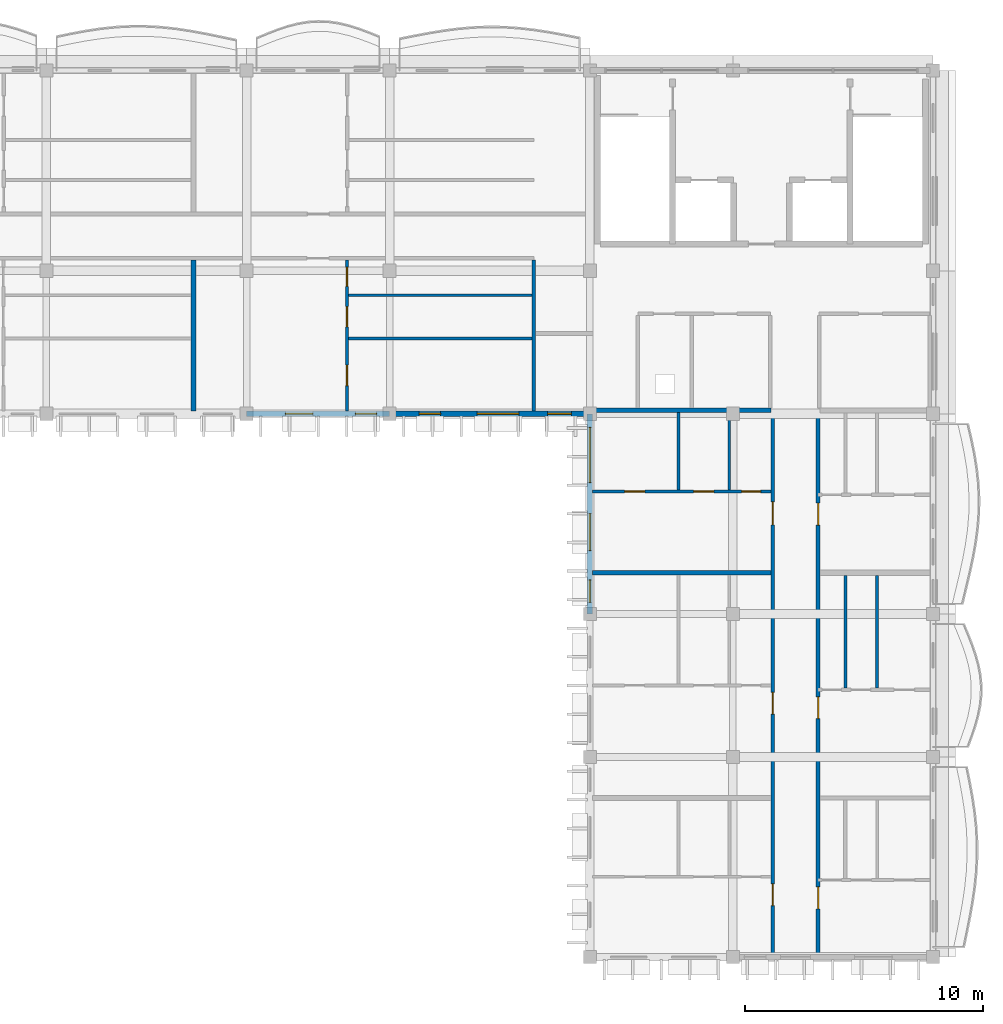
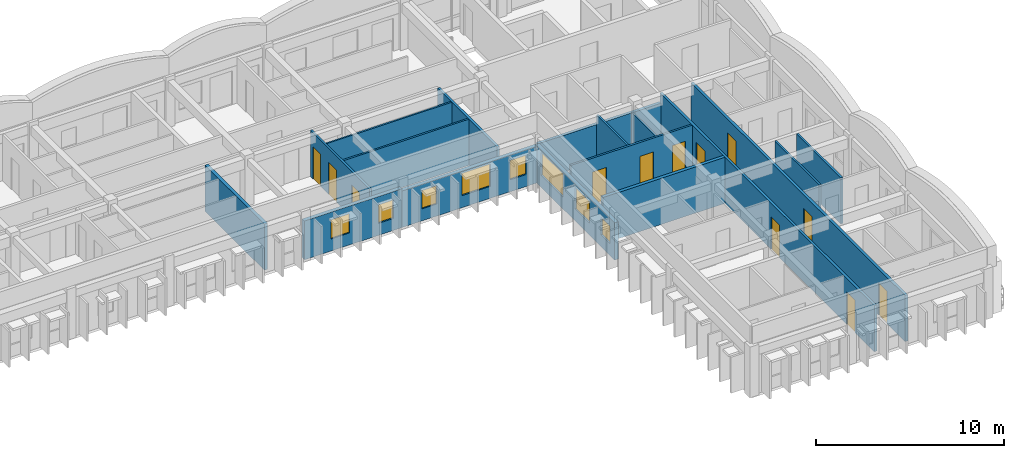
# One storey, part 15 of 28: 17 walls, 12 doors, 8 windows, 20 openings.
"""IFC4 building model written with IfcOpenShell, lengths in metres."""

from ifc_helpers import new_model, si_unit, direction, frame, frame_2d, origin, place, context, subcontext, project, spatial, rectangle, extrude, material, layer, layer_set, type_object, element, fill, save


model = new_model("IFC4")

# Units and contexts
model_context = context("Model", 3, precision=1e-05, world=origin(), true_north=direction((0.0, 1.0)))
body_context = subcontext(model_context, "Body", "Model", "MODEL_VIEW")
ifc_project = project(units=[si_unit("LENGTHUNIT", "METRE"), si_unit("AREAUNIT", "SQUARE_METRE"), si_unit("VOLUMEUNIT", "CUBIC_METRE"), si_unit("PLANEANGLEUNIT", "RADIAN"), si_unit("MASSUNIT", "GRAM", prefix="KILO"), si_unit("THERMODYNAMICTEMPERATUREUNIT", "KELVIN")], contexts=[model_context])

# Site, building, storey
site_placement = place(None, origin())
site = spatial("IfcSite", under=ifc_project, at=site_placement, CompositionType="ELEMENT")
building_placement = place(site_placement, origin())
building = spatial("IfcBuilding", under=site, at=building_placement, Name="Thalorik Housing Commons", CompositionType="ELEMENT")
storey_placement = place(building_placement, frame((0.0, 0.0, 41.10009765625)))
storey = spatial("IfcBuildingStorey", under=building, at=storey_placement, Name="L12", CompositionType="ELEMENT", Elevation=41.10009765625)

# Wall
ifc_material_1 = material(Name="Masonry fire-rated corridor wall", Category="masonry")
ifc_layer_1 = layer(ifc_material_1, 0.14990234375, Name="Masonry fire-rated corridor wall", Category="masonry")
ifc_layer_set_1 = layer_set([ifc_layer_1], Name="Masonry fire-rated corridor wall")
wall_type_1 = type_object("IfcWallType", Name="ARC-WAL-CORR-150", PredefinedType="PARTITIONING", material=ifc_layer_set_1)
wall_1_placement = place(storey_placement, frame((150.050048828125, 109.319580078125, 0.0), z_axis=(0.0, 0.0, 1.0), x_axis=(0.0, 1.0, 0.0)))
element("IfcWall", 1, at=wall_1_placement, inside=storey, type_object=wall_type_1, Name="L12 Block B Vestibule Cheek Wall", PredefinedType="PARTITIONING", context=body_context, shape_type="SweptSolid", body=[
    extrude(rectangle(XDim=6.323486328125, YDim=0.14990234375, at=frame_2d((3.16162109375, 0.0))), origin(), (0.0, 0.0, 1.0), 3.0),
])

# Wall, openings, doors
wall_2_placement = place(storey_placement, frame((160.080078125, 86.51953125, 0.0), z_axis=(0.0, 0.0, 1.0), x_axis=(0.0, 1.0, 0.0)))
wall_2 = element("IfcWall", 2, at=wall_2_placement, inside=storey, type_object=wall_type_1, Name="L12 Block B E Corridor Wall 1", PredefinedType="PARTITIONING", context=body_context, shape_type="SweptSolid", body=[
    extrude(rectangle(XDim=22.820556640625, YDim=0.14990234375, at=frame_2d((11.41015625, 0.0))), origin(), (0.0, 0.0, 1.0), 3.0),
])
opening_1_placement = place(wall_2_placement, frame((2.04052734375, 0.0, 0.0)))
opening_1 = element("IfcOpeningElement", 3, at=opening_1_placement, cuts=wall_2, Name="Opening ID-1568", PredefinedType="OPENING", context=body_context, shape_type="SweptSolid", body=[
    extrude(rectangle(XDim=0.919921875, YDim=2.10009765625, at=frame_2d((0.4599609375, 1.050048828125))), frame((0.0, 0.0849609375, 0.0), z_axis=(0.0, -1.0, 0.0), x_axis=(1.0, 0.0, 0.0)), (0.0, 0.0, 1.0), 0.169921875),
])
opening_2_placement = place(wall_2_placement, frame((10.075439453125, 0.0, 0.0)))
opening_2 = element("IfcOpeningElement", 4, at=opening_2_placement, cuts=wall_2, Name="Opening ID-1569", PredefinedType="OPENING", context=body_context, shape_type="SweptSolid", body=[
    extrude(rectangle(XDim=0.919921875, YDim=2.10009765625, at=frame_2d((0.4599609375, 1.050048828125))), frame((0.0, 0.0849609375, 0.0), z_axis=(0.0, -1.0, 0.0), x_axis=(1.0, 0.0, 0.0)), (0.0, 0.0, 1.0), 0.169921875),
])
opening_3_placement = place(wall_2_placement, frame((18.023193359375, 0.0, 0.0)))
opening_3 = element("IfcOpeningElement", 5, at=opening_3_placement, cuts=wall_2, Name="Opening ID-1570", PredefinedType="OPENING", context=body_context, shape_type="SweptSolid", body=[
    extrude(rectangle(XDim=0.9599609375, YDim=2.1201171875, at=frame_2d((0.47998046875, 1.06005859375))), frame((0.0, 0.0849609375, 0.0), z_axis=(0.0, -1.0, 0.0), x_axis=(1.0, 0.0, 0.0)), (0.0, 0.0, 1.0), 0.169921875),
])
ifc_material_2 = material(Name="Solid core hardwood timber", Category="wood")
door_type_1 = type_object("IfcDoorType", Name="ARC-DR-FD30-920", OperationType="NOTDEFINED", PredefinedType="DOOR", material=ifc_material_2)
door_1_placement = place(opening_1_placement, origin())
door_1 = element("IfcDoor", 6, at=door_1_placement, inside=storey, type_object=door_type_1, Name="L12 Flat BE-1A Entrance Door", OperationType="SINGLE_SWING_LEFT", OverallHeight=2.10009765625, OverallWidth=0.919921875, PredefinedType="DOOR", context=body_context, shape_type="SweptSolid", body=[
    extrude(rectangle(XDim=0.919921875, YDim=2.10009765625, at=frame_2d((0.4599609375, 1.050048828125))), frame((0.0, 0.02490234375, 0.0), z_axis=(0.0, -1.0, 0.0), x_axis=(1.0, 0.0, 0.0)), (0.0, 0.0, 1.0), 0.050048828125),
])
fill(opening_1, door_1)
door_2_placement = place(opening_2_placement, origin())
door_2 = element("IfcDoor", 7, at=door_2_placement, inside=storey, type_object=door_type_1, Name="L12 Flat BE-2A Entrance Door", OperationType="SINGLE_SWING_RIGHT", OverallHeight=2.10009765625, OverallWidth=0.919921875, PredefinedType="DOOR", context=body_context, shape_type="SweptSolid", body=[
    extrude(rectangle(XDim=0.919921875, YDim=2.10009765625, at=frame_2d((0.4599609375, 1.050048828125))), frame((0.0, 0.02490234375, 0.0), z_axis=(0.0, -1.0, 0.0), x_axis=(1.0, 0.0, 0.0)), (0.0, 0.0, 1.0), 0.050048828125),
])
fill(opening_2, door_2)
door_type_2 = type_object("IfcDoorType", Name="ARC-DR-FD30-960", OperationType="NOTDEFINED", PredefinedType="DOOR", material=ifc_material_2)
door_3_placement = place(opening_3_placement, origin())
door_3 = element("IfcDoor", 8, at=door_3_placement, inside=storey, type_object=door_type_2, Name="L12 Flat BE-3A Entrance Door", OperationType="SINGLE_SWING_LEFT", OverallHeight=2.1201171875, OverallWidth=0.9599609375, PredefinedType="DOOR", context=body_context, shape_type="SweptSolid", body=[
    extrude(rectangle(XDim=0.9599609375, YDim=2.1201171875, at=frame_2d((0.47998046875, 1.06005859375))), frame((0.0, 0.02490234375, 0.0), z_axis=(0.0, -1.0, 0.0), x_axis=(1.0, 0.0, 0.0)), (0.0, 0.0, 1.0), 0.050048828125),
])
fill(opening_3, door_3)

ifc_layer_2 = layer(ifc_material_1, 0.1650390625, Name="Masonry fire-rated corridor wall", Category="masonry")
ifc_layer_set_2 = layer_set([ifc_layer_2], Name="Masonry fire-rated corridor wall")
wall_type_2 = type_object("IfcWallType", Name="ARC-WAL-CORR-165", PredefinedType="PARTITIONING", material=ifc_layer_set_2)
wall_3_placement = place(storey_placement, frame((161.97998046875, 86.51953125, 0.0), z_axis=(0.0, 0.0, 1.0), x_axis=(0.0, 1.0, 0.0)))
wall_3 = element("IfcWall", 9, at=wall_3_placement, inside=storey, type_object=wall_type_2, Name="L12 Block B E Corridor Wall 2", PredefinedType="PARTITIONING", context=body_context, shape_type="SweptSolid", body=[
    extrude(rectangle(XDim=22.820556640625, YDim=0.1650390625, at=frame_2d((11.41015625, 0.0))), origin(), (0.0, 0.0, 1.0), 3.0),
])
opening_4_placement = place(wall_3_placement, frame((1.908203125, 0.0, 0.0)))
opening_4 = element("IfcOpeningElement", 10, at=opening_4_placement, cuts=wall_3, Name="Opening ID-1571", PredefinedType="OPENING", context=body_context, shape_type="SweptSolid", body=[
    extrude(rectangle(XDim=0.919921875, YDim=2.10009765625, at=frame_2d((0.4599609375, 1.050048828125))), frame((0.0, 0.092529296875, 0.0), z_axis=(0.0, -1.0, 0.0), x_axis=(1.0, 0.0, 0.0)), (0.0, 0.0, 1.0), 0.18505859375),
])
opening_5_placement = place(wall_3_placement, frame((9.886474609375, 0.0, 0.0)))
opening_5 = element("IfcOpeningElement", 11, at=opening_5_placement, cuts=wall_3, Name="Opening ID-1572", PredefinedType="OPENING", context=body_context, shape_type="SweptSolid", body=[
    extrude(rectangle(XDim=0.919921875, YDim=2.10009765625, at=frame_2d((0.4599609375, 1.050048828125))), frame((0.0, 0.092529296875, 0.0), z_axis=(0.0, -1.0, 0.0), x_axis=(1.0, 0.0, 0.0)), (0.0, 0.0, 1.0), 0.18505859375),
])
opening_6_placement = place(wall_3_placement, frame((18.0126953125, 0.0, 0.0)))
opening_6 = element("IfcOpeningElement", 12, at=opening_6_placement, cuts=wall_3, Name="Opening ID-1573", PredefinedType="OPENING", context=body_context, shape_type="SweptSolid", body=[
    extrude(rectangle(XDim=0.919921875, YDim=2.10009765625, at=frame_2d((0.4599609375, 1.050048828125))), frame((0.0, 0.092529296875, 0.0), z_axis=(0.0, -1.0, 0.0), x_axis=(1.0, 0.0, 0.0)), (0.0, 0.0, 1.0), 0.18505859375),
])
door_4_placement = place(opening_4_placement, origin())
door_4 = element("IfcDoor", 13, at=door_4_placement, inside=storey, type_object=door_type_1, Name="L12 Flat BE-1B Entrance Door", OperationType="SINGLE_SWING_RIGHT", OverallHeight=2.10009765625, OverallWidth=0.919921875, PredefinedType="DOOR", context=body_context, shape_type="SweptSolid", body=[
    extrude(rectangle(XDim=0.919921875, YDim=2.10009765625, at=frame_2d((0.4599609375, 1.050048828125))), frame((0.0, 0.02490234375, 0.0), z_axis=(0.0, -1.0, 0.0), x_axis=(1.0, 0.0, 0.0)), (0.0, 0.0, 1.0), 0.050048828125),
])
fill(opening_4, door_4)
door_5_placement = place(opening_5_placement, origin())
door_5 = element("IfcDoor", 14, at=door_5_placement, inside=storey, type_object=door_type_1, Name="L12 Flat BE-2B Entrance Door", OperationType="SINGLE_SWING_LEFT", OverallHeight=2.10009765625, OverallWidth=0.919921875, PredefinedType="DOOR", context=body_context, shape_type="SweptSolid", body=[
    extrude(rectangle(XDim=0.919921875, YDim=2.10009765625, at=frame_2d((0.4599609375, 1.050048828125))), frame((0.0, 0.02490234375, 0.0), z_axis=(0.0, -1.0, 0.0), x_axis=(1.0, 0.0, 0.0)), (0.0, 0.0, 1.0), 0.050048828125),
])
fill(opening_5, door_5)
door_6_placement = place(opening_6_placement, origin())
door_6 = element("IfcDoor", 15, at=door_6_placement, inside=storey, type_object=door_type_1, Name="L12 Flat BE-3B Entrance Door", OperationType="SINGLE_SWING_RIGHT", OverallHeight=2.10009765625, OverallWidth=0.919921875, PredefinedType="DOOR", context=body_context, shape_type="SweptSolid", body=[
    extrude(rectangle(XDim=0.919921875, YDim=2.10009765625, at=frame_2d((0.4599609375, 1.050048828125))), frame((0.0, 0.02490234375, 0.0), z_axis=(0.0, -1.0, 0.0), x_axis=(1.0, 0.0, 0.0)), (0.0, 0.0, 1.0), 0.050048828125),
])
fill(opening_6, door_6)

# Wall, openings, windows
ifc_material_3 = material(Name="White precast concrete C40/50", Category="concrete")
ifc_layer_3 = layer(ifc_material_3, 0.235107421875, Name="White precast concrete C40/50", Category="concrete")
ifc_layer_set_3 = layer_set([ifc_layer_3], Name="White precast concrete C40/50")
wall_type_3 = type_object("IfcWallType", Name="ARC-WAL-EXT-235", PredefinedType="STANDARD", material=ifc_layer_set_3)
wall_4_placement = place(storey_placement, frame((138.0, 109.199951171875, 0.0), z_axis=(0.0, 0.0, 1.0), x_axis=(1.0, 0.0, 0.0)))
wall_4 = element("IfcWall", 16, at=wall_4_placement, inside=storey, type_object=wall_type_3, Name="L12 Exterior Wall WAL-EXT-L12-B-0811", PredefinedType="STANDARD", context=body_context, shape_type="SweptSolid", body=[
    extrude(rectangle(XDim=6.0, YDim=0.235107421875, at=frame_2d((3.0, 0.0))), origin(), (0.0, 0.0, 1.0), 2.52490234375),
])
opening_7_placement = place(wall_4_placement, frame((1.625, 0.0, 0.780029296875)))
opening_7 = element("IfcOpeningElement", 17, at=opening_7_placement, cuts=wall_4, Name="Opening W-45", PredefinedType="OPENING", context=body_context, shape_type="SweptSolid", body=[
    extrude(rectangle(XDim=1.14990234375, YDim=1.25, at=frame_2d((0.574951171875, 0.625))), frame((0.0, 0.12744140625, 0.0), z_axis=(0.0, -1.0, 0.0), x_axis=(1.0, 0.0, 0.0)), (0.0, 0.0, 1.0), 0.255126953125),
])
opening_8_placement = place(wall_4_placement, frame((4.56005859375, 0.0, 0.780029296875)))
opening_8 = element("IfcOpeningElement", 18, at=opening_8_placement, cuts=wall_4, Name="Opening W-01", PredefinedType="OPENING", context=body_context, shape_type="SweptSolid", body=[
    extrude(rectangle(XDim=0.89990234375, YDim=1.199951171875, at=frame_2d((0.449951171875, 0.60009765625))), frame((0.0, 0.12744140625, 0.0), z_axis=(0.0, -1.0, 0.0), x_axis=(1.0, 0.0, 0.0)), (0.0, 0.0, 1.0), 0.255126953125),
])
ifc_material_4 = material(Name="Anodised aluminium and solar-control low-E glass", Category="aluminium")
window_type_1 = type_object("IfcWindowType", Name="ARC-WIN-01", PartitioningType="SINGLE_PANEL", PredefinedType="WINDOW", material=ifc_material_4)
window_1_placement = place(opening_8_placement, origin())
window_1 = element("IfcWindow", 19, at=window_1_placement, inside=storey, type_object=window_type_1, Name="L12 Facade Window 1497", OverallHeight=1.199951171875, OverallWidth=0.89990234375, PartitioningType="SINGLE_PANEL", PredefinedType="WINDOW", context=body_context, shape_type="SweptSolid", body=[
    extrude(rectangle(XDim=0.89990234375, YDim=1.199951171875, at=frame_2d((0.449951171875, 0.60009765625))), frame((0.0, 0.030029296875, 0.0), z_axis=(0.0, -1.0, 0.0), x_axis=(1.0, 0.0, 0.0)), (0.0, 0.0, 1.0), 0.06005859375),
])
fill(opening_8, window_1)
window_type_2 = type_object("IfcWindowType", Name="ARC-WIN-45", PartitioningType="SINGLE_PANEL", PredefinedType="WINDOW", material=ifc_material_4)
window_2_placement = place(opening_7_placement, origin())
window_2 = element("IfcWindow", 20, at=window_2_placement, inside=storey, type_object=window_type_2, Name="L12 Facade Window 1496", OverallHeight=1.25, OverallWidth=1.14990234375, PartitioningType="SINGLE_PANEL", PredefinedType="WINDOW", context=body_context, shape_type="SweptSolid", body=[
    extrude(rectangle(XDim=1.14990234375, YDim=1.25, at=frame_2d((0.574951171875, 0.625))), frame((0.0, 0.030029296875, 0.0), z_axis=(0.0, -1.0, 0.0), x_axis=(1.0, 0.0, 0.0)), (0.0, 0.0, 1.0), 0.06005859375),
])
fill(opening_7, window_2)

wall_5_placement = place(storey_placement, frame((144.0, 109.199951171875, 0.0), z_axis=(0.0, 0.0, 1.0), x_axis=(1.0, 0.0, 0.0)))
wall_5 = element("IfcWall", 21, at=wall_5_placement, inside=storey, type_object=wall_type_3, Name="L12 Exterior Wall WAL-EXT-L12-B-0812", PredefinedType="STANDARD", context=body_context, shape_type="SweptSolid", body=[
    extrude(rectangle(XDim=8.39990234375, YDim=0.235107421875, at=frame_2d((4.199951171875, 0.0))), origin(), (0.0, 0.0, 1.0), 2.375),
])
opening_9_placement = place(wall_5_placement, frame((1.239990234375, 0.0, 0.780029296875)))
opening_9 = element("IfcOpeningElement", 22, at=opening_9_placement, cuts=wall_5, Name="Opening W-01", PredefinedType="OPENING", context=body_context, shape_type="SweptSolid", body=[
    extrude(rectangle(XDim=0.89990234375, YDim=1.199951171875, at=frame_2d((0.449951171875, 0.60009765625))), frame((0.0, 0.12744140625, 0.0), z_axis=(0.0, -1.0, 0.0), x_axis=(1.0, 0.0, 0.0)), (0.0, 0.0, 1.0), 0.255126953125),
])
opening_10_placement = place(wall_5_placement, frame((3.675048828125, 0.0, 0.780029296875)))
opening_10 = element("IfcOpeningElement", 23, at=opening_10_placement, cuts=wall_5, Name="Opening W-17", PredefinedType="OPENING", context=body_context, shape_type="SweptSolid", body=[
    extrude(rectangle(XDim=1.75, YDim=1.449951171875, at=frame_2d((0.875, 0.72509765625))), frame((0.0, 0.12744140625, 0.0), z_axis=(0.0, -1.0, 0.0), x_axis=(1.0, 0.0, 0.0)), (0.0, 0.0, 1.0), 0.255126953125),
])
opening_11_placement = place(wall_5_placement, frame((6.6298828125, 0.0, 0.780029296875)))
opening_11 = element("IfcOpeningElement", 24, at=opening_11_placement, cuts=wall_5, Name="Opening W-02", PredefinedType="OPENING", context=body_context, shape_type="SweptSolid", body=[
    extrude(rectangle(XDim=1.0, YDim=1.25, at=frame_2d((0.5, 0.625))), frame((0.0, 0.12744140625, 0.0), z_axis=(0.0, -1.0, 0.0), x_axis=(1.0, 0.0, 0.0)), (0.0, 0.0, 1.0), 0.255126953125),
])
window_3_placement = place(opening_9_placement, origin())
window_3 = element("IfcWindow", 25, at=window_3_placement, inside=storey, type_object=window_type_1, Name="L12 Facade Window 1498", OverallHeight=1.199951171875, OverallWidth=0.89990234375, PartitioningType="SINGLE_PANEL", PredefinedType="WINDOW", context=body_context, shape_type="SweptSolid", body=[
    extrude(rectangle(XDim=0.89990234375, YDim=1.199951171875, at=frame_2d((0.449951171875, 0.60009765625))), frame((0.0, 0.030029296875, 0.0), z_axis=(0.0, -1.0, 0.0), x_axis=(1.0, 0.0, 0.0)), (0.0, 0.0, 1.0), 0.06005859375),
])
fill(opening_9, window_3)
window_type_3 = type_object("IfcWindowType", Name="ARC-WIN-02", PartitioningType="SINGLE_PANEL", PredefinedType="WINDOW", material=ifc_material_4)
window_4_placement = place(opening_11_placement, origin())
window_4 = element("IfcWindow", 26, at=window_4_placement, inside=storey, type_object=window_type_3, Name="L12 Facade Window 1500", OverallHeight=1.25, OverallWidth=1.0, PartitioningType="SINGLE_PANEL", PredefinedType="WINDOW", context=body_context, shape_type="SweptSolid", body=[
    extrude(rectangle(XDim=1.0, YDim=1.25, at=frame_2d((0.5, 0.625))), frame((0.0, 0.030029296875, 0.0), z_axis=(0.0, -1.0, 0.0), x_axis=(1.0, 0.0, 0.0)), (0.0, 0.0, 1.0), 0.06005859375),
])
fill(opening_11, window_4)
window_type_4 = type_object("IfcWindowType", Name="ARC-WIN-17", PartitioningType="DOUBLE_PANEL_VERTICAL", PredefinedType="WINDOW", material=ifc_material_4)
window_5_placement = place(opening_10_placement, origin())
window_5 = element("IfcWindow", 27, at=window_5_placement, inside=storey, type_object=window_type_4, Name="L12 Facade Window 1499", OverallHeight=1.449951171875, OverallWidth=1.75, PartitioningType="DOUBLE_PANEL_VERTICAL", PredefinedType="WINDOW", context=body_context, shape_type="SweptSolid", body=[
    extrude(rectangle(XDim=1.75, YDim=1.449951171875, at=frame_2d((0.875, 0.72509765625))), frame((0.0, 0.030029296875, 0.0), z_axis=(0.0, -1.0, 0.0), x_axis=(1.0, 0.0, 0.0)), (0.0, 0.0, 1.0), 0.06005859375),
])
fill(opening_10, window_5)

wall_6_placement = place(storey_placement, frame((152.39990234375, 109.199951171875, 0.0), z_axis=(0.0, 0.0, 1.0), x_axis=(0.0, -1.0, 0.0)))
wall_6 = element("IfcWall", 28, at=wall_6_placement, inside=storey, type_object=wall_type_3, Name="L12 Exterior Wall WAL-EXT-L12-B-0813", PredefinedType="STANDARD", context=body_context, shape_type="SweptSolid", body=[
    extrude(rectangle(XDim=8.39990234375, YDim=0.235107421875, at=frame_2d((4.199951171875, 0.0))), origin(), (0.0, 0.0, 1.0), 2.4248046875),
])
opening_12_placement = place(wall_6_placement, frame((0.5673828125, 0.0, 0.780029296875)))
opening_12 = element("IfcOpeningElement", 29, at=opening_12_placement, cuts=wall_6, Name="Opening W-68", PredefinedType="OPENING", context=body_context, shape_type="SweptSolid", body=[
    extrude(rectangle(XDim=2.320068359375, YDim=1.5, at=frame_2d((1.16015625, 0.75))), frame((0.0, 0.12744140625, 0.0), z_axis=(0.0, -1.0, 0.0), x_axis=(1.0, 0.0, 0.0)), (0.0, 0.0, 1.0), 0.255126953125),
])
opening_13_placement = place(wall_6_placement, frame((4.1923828125, 0.0, 0.780029296875)))
opening_13 = element("IfcOpeningElement", 30, at=opening_13_placement, cuts=wall_6, Name="Opening W-12", PredefinedType="OPENING", context=body_context, shape_type="SweptSolid", body=[
    extrude(rectangle(XDim=1.550048828125, YDim=1.39990234375, at=frame_2d((0.77490234375, 0.699951171875))), frame((0.0, 0.12744140625, 0.0), z_axis=(0.0, -1.0, 0.0), x_axis=(1.0, 0.0, 0.0)), (0.0, 0.0, 1.0), 0.255126953125),
])
opening_14_placement = place(wall_6_placement, frame((6.965087890625, 0.0, 0.780029296875)))
opening_14 = element("IfcOpeningElement", 31, at=opening_14_placement, cuts=wall_6, Name="Opening W-43", PredefinedType="OPENING", context=body_context, shape_type="SweptSolid", body=[
    extrude(rectangle(XDim=0.949951171875, YDim=1.14990234375, at=frame_2d((0.47509765625, 0.574951171875))), frame((0.0, 0.12744140625, 0.0), z_axis=(0.0, -1.0, 0.0), x_axis=(1.0, 0.0, 0.0)), (0.0, 0.0, 1.0), 0.255126953125),
])
window_type_5 = type_object("IfcWindowType", Name="ARC-WIN-12", PartitioningType="SINGLE_PANEL", PredefinedType="WINDOW", material=ifc_material_4)
window_6_placement = place(opening_13_placement, origin())
window_6 = element("IfcWindow", 32, at=window_6_placement, inside=storey, type_object=window_type_5, Name="L12 Facade Window 1502", OverallHeight=1.39990234375, OverallWidth=1.550048828125, PartitioningType="SINGLE_PANEL", PredefinedType="WINDOW", context=body_context, shape_type="SweptSolid", body=[
    extrude(rectangle(XDim=1.550048828125, YDim=1.39990234375, at=frame_2d((0.77490234375, 0.699951171875))), frame((0.0, 0.030029296875, 0.0), z_axis=(0.0, -1.0, 0.0), x_axis=(1.0, 0.0, 0.0)), (0.0, 0.0, 1.0), 0.06005859375),
])
fill(opening_13, window_6)
window_type_6 = type_object("IfcWindowType", Name="ARC-WIN-43", PartitioningType="SINGLE_PANEL", PredefinedType="WINDOW", material=ifc_material_4)
window_7_placement = place(opening_14_placement, origin())
window_7 = element("IfcWindow", 33, at=window_7_placement, inside=storey, type_object=window_type_6, Name="L12 Facade Window 1503", OverallHeight=1.14990234375, OverallWidth=0.949951171875, PartitioningType="SINGLE_PANEL", PredefinedType="WINDOW", context=body_context, shape_type="SweptSolid", body=[
    extrude(rectangle(XDim=0.949951171875, YDim=1.14990234375, at=frame_2d((0.47509765625, 0.574951171875))), frame((0.0, 0.030029296875, 0.0), z_axis=(0.0, -1.0, 0.0), x_axis=(1.0, 0.0, 0.0)), (0.0, 0.0, 1.0), 0.06005859375),
])
fill(opening_14, window_7)
window_type_7 = type_object("IfcWindowType", Name="ARC-WIN-68", PartitioningType="DOUBLE_PANEL_VERTICAL", PredefinedType="WINDOW", material=ifc_material_4)
window_8_placement = place(opening_12_placement, origin())
window_8 = element("IfcWindow", 34, at=window_8_placement, inside=storey, type_object=window_type_7, Name="L12 Facade Window 1501", OverallHeight=1.5, OverallWidth=2.320068359375, PartitioningType="DOUBLE_PANEL_VERTICAL", PredefinedType="WINDOW", context=body_context, shape_type="SweptSolid", body=[
    extrude(rectangle(XDim=2.320068359375, YDim=1.5, at=frame_2d((1.16015625, 0.75))), frame((0.0, 0.030029296875, 0.0), z_axis=(0.0, -1.0, 0.0), x_axis=(1.0, 0.0, 0.0)), (0.0, 0.0, 1.0), 0.06005859375),
])
fill(opening_12, window_8)

# Walls
ifc_material_5 = material(Name="Gypsum light stud partition", Category="masonry")
ifc_layer_4 = layer(ifc_material_5, 0.10009765625, Name="Gypsum light stud partition", Category="masonry")
ifc_layer_set_4 = layer_set([ifc_layer_4], Name="Gypsum light stud partition")
wall_type_4 = type_object("IfcWallType", Name="ARC-WAL-PART-100", PredefinedType="PARTITIONING", material=ifc_layer_set_4)
wall_7_placement = place(storey_placement, frame((142.2744140625, 114.169677734375, 0.0), z_axis=(0.0, 0.0, 1.0), x_axis=(1.0, 0.0, 0.0)))
element("IfcWall", 35, at=wall_7_placement, inside=storey, type_object=wall_type_4, Name="L12 Unit 3 Wet Wall", PredefinedType="PARTITIONING", context=body_context, shape_type="SweptSolid", body=[
    extrude(rectangle(XDim=7.698486328125, YDim=0.10009765625, at=frame_2d((3.84912109375, 0.0))), origin(), (0.0, 0.0, 1.0), 3.0),
])
wall_8_placement = place(storey_placement, frame((158.251220703125, 105.99951171875, 0.0), z_axis=(0.0, 0.0, 1.0), x_axis=(0.0, 1.0, 0.0)))
element("IfcWall", 36, at=wall_8_placement, inside=storey, type_object=wall_type_4, Name="L12 Unit 3 Wet Wall", PredefinedType="PARTITIONING", context=body_context, shape_type="SweptSolid", body=[
    extrude(rectangle(XDim=3.24609375, YDim=0.10009765625, at=frame_2d((1.623046875, 0.0))), origin(), (0.0, 0.0, 1.0), 2.4248046875),
])
ifc_material_6 = material(Name="Gypsum moisture-resistant partition", Category="masonry")
ifc_layer_5 = layer(ifc_material_6, 0.114990234375, Name="Gypsum moisture-resistant partition", Category="masonry")
ifc_layer_set_5 = layer_set([ifc_layer_5], Name="Gypsum moisture-resistant partition")
wall_type_5 = type_object("IfcWallType", Name="ARC-WAL-PART-115", PredefinedType="PARTITIONING", material=ifc_layer_set_5)
wall_9_placement = place(storey_placement, frame((142.2744140625, 112.36083984375, 0.0), z_axis=(0.0, 0.0, 1.0), x_axis=(1.0, 0.0, 0.0)))
element("IfcWall", 37, at=wall_9_placement, inside=storey, type_object=wall_type_5, Name="L12 Unit 3 Bedroom Partition", PredefinedType="PARTITIONING", context=body_context, shape_type="SweptSolid", body=[
    extrude(rectangle(XDim=7.698486328125, YDim=0.114990234375, at=frame_2d((3.84912109375, 0.0))), origin(), (0.0, 0.0, 1.0), 3.0),
])
wall_10_placement = place(storey_placement, frame((163.122314453125, 97.68798828125, 0.0), z_axis=(0.0, 0.0, 1.0), x_axis=(0.0, 1.0, 0.0)))
element("IfcWall", 38, at=wall_10_placement, inside=storey, type_object=wall_type_5, Name="L12 Unit 2B Wet Wall", PredefinedType="PARTITIONING", context=body_context, shape_type="SweptSolid", body=[
    extrude(rectangle(XDim=4.72998046875, YDim=0.114990234375, at=frame_2d((2.364990234375, 0.0))), origin(), (0.0, 0.0, 1.0), 3.0),
])
wall_11_placement = place(storey_placement, frame((156.11767578125, 105.99951171875, 0.0), z_axis=(0.0, 0.0, 1.0), x_axis=(0.0, 1.0, 0.0)))
element("IfcWall", 39, at=wall_11_placement, inside=storey, type_object=wall_type_5, Name="L12 Unit 3 Bedroom Partition", PredefinedType="PARTITIONING", context=body_context, shape_type="SweptSolid", body=[
    extrude(rectangle(XDim=3.24609375, YDim=0.114990234375, at=frame_2d((1.623046875, 0.0))), origin(), (0.0, 0.0, 1.0), 3.0),
])

# Wall, openings, doors
ifc_material_7 = material(Name="Gypsum acoustic stud partition", Category="masonry")
ifc_layer_6 = layer(ifc_material_7, 0.125, Name="Gypsum acoustic stud partition", Category="masonry")
ifc_layer_set_6 = layer_set([ifc_layer_6], Name="Gypsum acoustic stud partition")
wall_type_6 = type_object("IfcWallType", Name="ARC-WAL-PART-125", PredefinedType="PARTITIONING", material=ifc_layer_set_6)
wall_12_placement = place(storey_placement, frame((142.2099609375, 109.319580078125, 0.0), z_axis=(0.0, 0.0, 1.0), x_axis=(0.0, 1.0, 0.0)))
wall_12 = element("IfcWall", 40, at=wall_12_placement, inside=storey, type_object=wall_type_6, Name="L12 Unit 3 Spine Partition", PredefinedType="PARTITIONING", context=body_context, shape_type="SweptSolid", body=[
    extrude(rectangle(XDim=6.323486328125, YDim=0.125, at=frame_2d((3.16162109375, 0.0))), origin(), (0.0, 0.0, 1.0), 3.0),
])
opening_15_placement = place(wall_12_placement, frame((1.06591796875, 0.0, 0.0)))
opening_15 = element("IfcOpeningElement", 41, at=opening_15_placement, cuts=wall_12, Name="Opening ID-1538", PredefinedType="OPENING", context=body_context, shape_type="SweptSolid", body=[
    extrude(rectangle(XDim=0.85009765625, YDim=2.10009765625, at=frame_2d((0.425048828125, 1.050048828125))), frame((0.0, 0.072509765625, 0.0), z_axis=(0.0, -1.0, 0.0), x_axis=(1.0, 0.0, 0.0)), (0.0, 0.0, 1.0), 0.14501953125),
])
opening_16_placement = place(wall_12_placement, frame((3.520751953125, 0.0, 0.0)))
opening_16 = element("IfcOpeningElement", 42, at=opening_16_placement, cuts=wall_12, Name="Opening ID-1539", PredefinedType="OPENING", context=body_context, shape_type="SweptSolid", body=[
    extrude(rectangle(XDim=0.85009765625, YDim=2.10009765625, at=frame_2d((0.425048828125, 1.050048828125))), frame((0.0, 0.072509765625, 0.0), z_axis=(0.0, -1.0, 0.0), x_axis=(1.0, 0.0, 0.0)), (0.0, 0.0, 1.0), 0.14501953125),
])
opening_17_placement = place(wall_12_placement, frame((5.225341796875, 0.0, 0.0)))
opening_17 = element("IfcOpeningElement", 43, at=opening_17_placement, cuts=wall_12, Name="Opening ID-1540", PredefinedType="OPENING", context=body_context, shape_type="SweptSolid", body=[
    extrude(rectangle(XDim=0.800048828125, YDim=2.10009765625, at=frame_2d((0.39990234375, 1.050048828125))), frame((0.0, 0.072509765625, 0.0), z_axis=(0.0, -1.0, 0.0), x_axis=(1.0, 0.0, 0.0)), (0.0, 0.0, 1.0), 0.14501953125),
])
ifc_material_8 = material(Name="Moisture-resistant timber", Category="wood")
door_type_3 = type_object("IfcDoorType", Name="ARC-DR-INT-800", OperationType="NOTDEFINED", PredefinedType="DOOR", material=ifc_material_8)
door_7_placement = place(opening_17_placement, origin())
door_7 = element("IfcDoor", 44, at=door_7_placement, inside=storey, type_object=door_type_3, Name="L12 Flat Bathroom Door", OperationType="SINGLE_SWING_LEFT", OverallHeight=2.10009765625, OverallWidth=0.800048828125, PredefinedType="DOOR", context=body_context, shape_type="SweptSolid", body=[
    extrude(rectangle(XDim=0.800048828125, YDim=2.10009765625, at=frame_2d((0.39990234375, 1.050048828125))), frame((0.0, 0.02490234375, 0.0), z_axis=(0.0, -1.0, 0.0), x_axis=(1.0, 0.0, 0.0)), (0.0, 0.0, 1.0), 0.050048828125),
])
fill(opening_17, door_7)
ifc_material_9 = material(Name="Engineered oak timber", Category="wood")
door_type_4 = type_object("IfcDoorType", Name="ARC-DR-INT-850", OperationType="NOTDEFINED", PredefinedType="DOOR", material=ifc_material_9)
door_8_placement = place(opening_15_placement, origin())
door_8 = element("IfcDoor", 45, at=door_8_placement, inside=storey, type_object=door_type_4, Name="L12 Master Bedroom Door", OperationType="SINGLE_SWING_LEFT", OverallHeight=2.10009765625, OverallWidth=0.85009765625, PredefinedType="DOOR", context=body_context, shape_type="SweptSolid", body=[
    extrude(rectangle(XDim=0.85009765625, YDim=2.10009765625, at=frame_2d((0.425048828125, 1.050048828125))), frame((0.0, 0.02490234375, 0.0), z_axis=(0.0, -1.0, 0.0), x_axis=(1.0, 0.0, 0.0)), (0.0, 0.0, 1.0), 0.050048828125),
])
fill(opening_15, door_8)
door_9_placement = place(opening_16_placement, origin())
door_9 = element("IfcDoor", 46, at=door_9_placement, inside=storey, type_object=door_type_4, Name="L12 Eat-In Kitchen Door", OperationType="SINGLE_SWING_RIGHT", OverallHeight=2.10009765625, OverallWidth=0.85009765625, PredefinedType="DOOR", context=body_context, shape_type="SweptSolid", body=[
    extrude(rectangle(XDim=0.85009765625, YDim=2.10009765625, at=frame_2d((0.425048828125, 1.050048828125))), frame((0.0, 0.02490234375, 0.0), z_axis=(0.0, -1.0, 0.0), x_axis=(1.0, 0.0, 0.0)), (0.0, 0.0, 1.0), 0.050048828125),
])
fill(opening_16, door_9)

# Wall
wall_13_placement = place(storey_placement, frame((164.455078125, 97.68798828125, 0.0), z_axis=(0.0, 0.0, 1.0), x_axis=(0.0, 1.0, 0.0)))
element("IfcWall", 47, at=wall_13_placement, inside=storey, type_object=wall_type_6, Name="L12 Unit 2B Bedroom Partition", PredefinedType="PARTITIONING", context=body_context, shape_type="SweptSolid", body=[
    extrude(rectangle(XDim=4.72998046875, YDim=0.125, at=frame_2d((2.364990234375, 0.0))), origin(), (0.0, 0.0, 1.0), 3.0),
])

# Wall, openings, doors
wall_14_placement = place(storey_placement, frame((152.51953125, 105.93505859375, 0.0), z_axis=(0.0, 0.0, 1.0), x_axis=(1.0, 0.0, 0.0)))
wall_14 = element("IfcWall", 48, at=wall_14_placement, inside=storey, type_object=wall_type_6, Name="L12 Unit 3 Spine Partition", PredefinedType="PARTITIONING", context=body_context, shape_type="SweptSolid", body=[
    extrude(rectangle(XDim=7.4833984375, YDim=0.125, at=frame_2d((3.74169921875, 0.0))), origin(), (0.0, 0.0, 1.0), 3.0),
])
opening_18_placement = place(wall_14_placement, frame((1.34423828125, 0.0, 0.0)))
opening_18 = element("IfcOpeningElement", 49, at=opening_18_placement, cuts=wall_14, Name="Opening ID-1562", PredefinedType="OPENING", context=body_context, shape_type="SweptSolid", body=[
    extrude(rectangle(XDim=0.85009765625, YDim=2.10009765625, at=frame_2d((0.425048828125, 1.050048828125))), frame((0.0, 0.072509765625, 0.0), z_axis=(0.0, -1.0, 0.0), x_axis=(1.0, 0.0, 0.0)), (0.0, 0.0, 1.0), 0.14501953125),
])
opening_19_placement = place(wall_14_placement, frame((4.239990234375, 0.0, 0.0)))
opening_19 = element("IfcOpeningElement", 50, at=opening_19_placement, cuts=wall_14, Name="Opening ID-1563", PredefinedType="OPENING", context=body_context, shape_type="SweptSolid", body=[
    extrude(rectangle(XDim=0.85009765625, YDim=2.10009765625, at=frame_2d((0.425048828125, 1.050048828125))), frame((0.0, 0.072509765625, 0.0), z_axis=(0.0, -1.0, 0.0), x_axis=(1.0, 0.0, 0.0)), (0.0, 0.0, 1.0), 0.14501953125),
])
opening_20_placement = place(wall_14_placement, frame((6.24609375, 0.0, 0.0)))
opening_20 = element("IfcOpeningElement", 51, at=opening_20_placement, cuts=wall_14, Name="Opening ID-1564", PredefinedType="OPENING", context=body_context, shape_type="SweptSolid", body=[
    extrude(rectangle(XDim=0.800048828125, YDim=2.10009765625, at=frame_2d((0.39990234375, 1.050048828125))), frame((0.0, 0.072509765625, 0.0), z_axis=(0.0, -1.0, 0.0), x_axis=(1.0, 0.0, 0.0)), (0.0, 0.0, 1.0), 0.14501953125),
])
door_10_placement = place(opening_20_placement, origin())
door_10 = element("IfcDoor", 52, at=door_10_placement, inside=storey, type_object=door_type_3, Name="L12 Flat Bathroom Door", OperationType="SINGLE_SWING_LEFT", OverallHeight=2.10009765625, OverallWidth=0.800048828125, PredefinedType="DOOR", context=body_context, shape_type="SweptSolid", body=[
    extrude(rectangle(XDim=0.800048828125, YDim=2.10009765625, at=frame_2d((0.39990234375, 1.050048828125))), frame((0.0, 0.02490234375, 0.0), z_axis=(0.0, -1.0, 0.0), x_axis=(1.0, 0.0, 0.0)), (0.0, 0.0, 1.0), 0.050048828125),
])
fill(opening_20, door_10)
door_11_placement = place(opening_18_placement, origin())
door_11 = element("IfcDoor", 53, at=door_11_placement, inside=storey, type_object=door_type_4, Name="L12 Master Bedroom Door", OperationType="SINGLE_SWING_LEFT", OverallHeight=2.10009765625, OverallWidth=0.85009765625, PredefinedType="DOOR", context=body_context, shape_type="SweptSolid", body=[
    extrude(rectangle(XDim=0.85009765625, YDim=2.10009765625, at=frame_2d((0.425048828125, 1.050048828125))), frame((0.0, 0.02490234375, 0.0), z_axis=(0.0, -1.0, 0.0), x_axis=(1.0, 0.0, 0.0)), (0.0, 0.0, 1.0), 0.050048828125),
])
fill(opening_18, door_11)
door_12_placement = place(opening_19_placement, origin())
door_12 = element("IfcDoor", 54, at=door_12_placement, inside=storey, type_object=door_type_4, Name="L12 Eat-In Kitchen Door", OperationType="SINGLE_SWING_RIGHT", OverallHeight=2.10009765625, OverallWidth=0.85009765625, PredefinedType="DOOR", context=body_context, shape_type="SweptSolid", body=[
    extrude(rectangle(XDim=0.85009765625, YDim=2.10009765625, at=frame_2d((0.425048828125, 1.050048828125))), frame((0.0, 0.02490234375, 0.0), z_axis=(0.0, -1.0, 0.0), x_axis=(1.0, 0.0, 0.0)), (0.0, 0.0, 1.0), 0.050048828125),
])
fill(opening_19, door_12)

# Walls
ifc_material_10 = material(Name="Masonry acoustic blockwork wall", Category="masonry")
ifc_layer_7 = layer(ifc_material_10, 0.18505859375, Name="Masonry acoustic blockwork wall", Category="masonry")
ifc_layer_set_7 = layer_set([ifc_layer_7], Name="Masonry acoustic blockwork wall")
wall_type_7 = type_object("IfcWallType", Name="ARC-WAL-PARTY-185", PredefinedType="PARTITIONING", material=ifc_layer_set_7)
wall_15_placement = place(storey_placement, frame((152.4599609375, 109.340087890625, 0.0), z_axis=(0.0, 0.0, 1.0), x_axis=(1.0, 0.0, 0.0)))
element("IfcWall", 55, at=wall_15_placement, inside=storey, type_object=wall_type_7, Name="L12 Core End Wall A", PredefinedType="PARTITIONING", context=body_context, shape_type="SweptSolid", body=[
    extrude(rectangle(XDim=7.54296875, YDim=0.18505859375, at=frame_2d((3.771484375, 0.0))), origin(), (0.0, 0.0, 1.0), 2.375),
])
ifc_material_11 = material(Name="Precast concrete C40/50 acoustic wall", Category="concrete")
ifc_layer_8 = layer(ifc_material_11, 0.199951171875, Name="Precast concrete C40/50 acoustic wall", Category="concrete")
ifc_layer_set_8 = layer_set([ifc_layer_8], Name="Precast concrete C40/50 acoustic wall")
wall_type_8 = type_object("IfcWallType", Name="ARC-WAL-PARTY-200", PredefinedType="PARTITIONING", material=ifc_layer_set_8)
wall_16_placement = place(storey_placement, frame((135.77001953125, 109.319580078125, 0.0), z_axis=(0.0, 0.0, 1.0), x_axis=(0.0, 1.0, 0.0)))
element("IfcWall", 56, at=wall_16_placement, inside=storey, type_object=wall_type_8, Name="L12 Inter-Tenancy Wall 2A", PredefinedType="PARTITIONING", context=body_context, shape_type="SweptSolid", body=[
    extrude(rectangle(XDim=6.323486328125, YDim=0.199951171875, at=frame_2d((3.16162109375, 0.0))), origin(), (0.0, 0.0, 1.0), 3.0),
])
wall_17_placement = place(storey_placement, frame((152.51953125, 102.530029296875, 0.0), z_axis=(0.0, 0.0, 1.0), x_axis=(1.0, 0.0, 0.0)))
element("IfcWall", 57, at=wall_17_placement, inside=storey, type_object=wall_type_8, Name="L12 Inter-Tenancy Wall 2A", PredefinedType="PARTITIONING", context=body_context, shape_type="SweptSolid", body=[
    extrude(rectangle(XDim=7.4833984375, YDim=0.199951171875, at=frame_2d((3.74169921875, 0.0))), origin(), (0.0, 0.0, 1.0), 3.0),
])

save(model, "model.ifc")
